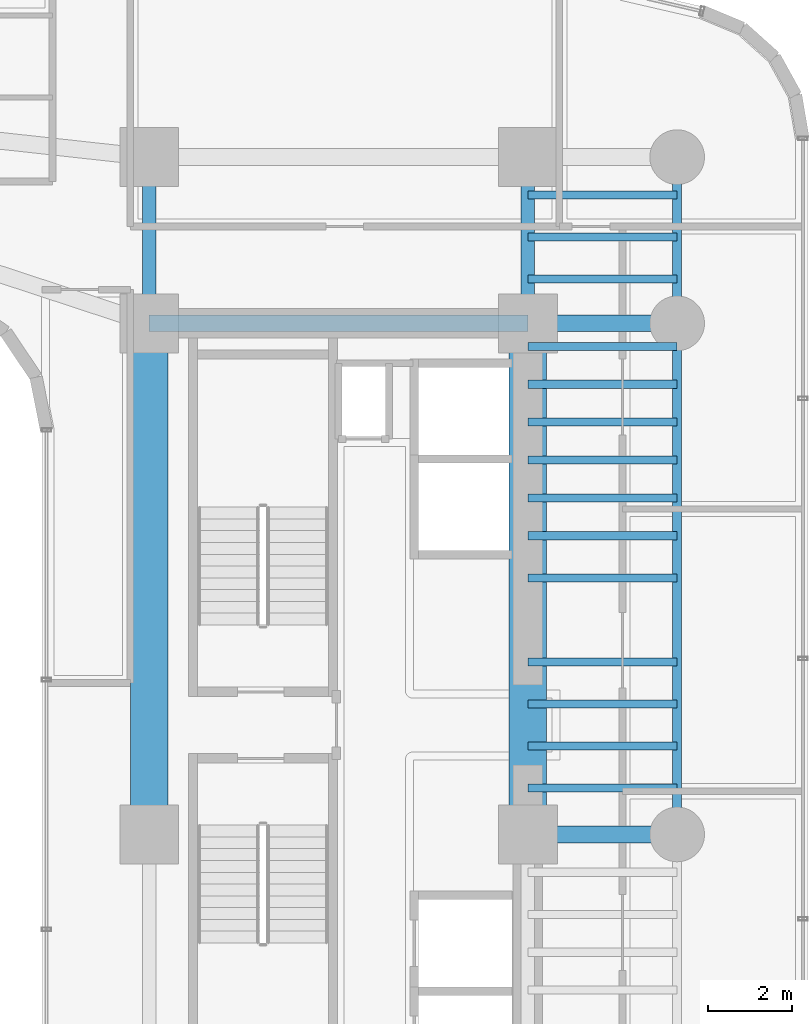
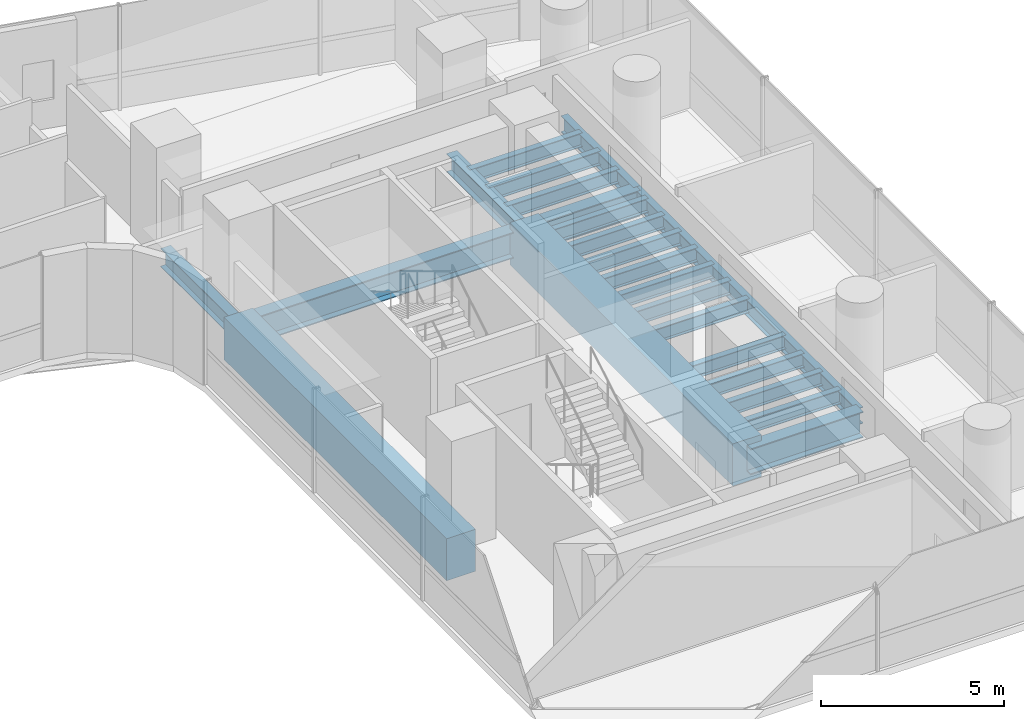
# One storey, part 18 of 41: 23 beams.
"""IFC4 building model written with IfcOpenShell, lengths in metres."""

from ifc_helpers import new_model, si_unit, direction, frame, origin, origin_2d, place, context, subcontext, project, spatial, rectangle, i_section, extrude, source, transform, mapped, material, material_profile, profile_set, type_object, element, save


model = new_model("IFC4")

# Units and contexts
model_context = context("Model", 3, precision=1e-05, world=origin(), true_north=direction((0.0, 1.0)))
body_context = subcontext(model_context, "Body", "Model", "MODEL_VIEW")
ifc_project = project(units=[si_unit("LENGTHUNIT", "METRE"), si_unit("AREAUNIT", "SQUARE_METRE"), si_unit("VOLUMEUNIT", "CUBIC_METRE"), si_unit("PLANEANGLEUNIT", "RADIAN"), si_unit("MASSUNIT", "GRAM", prefix="KILO")], contexts=[model_context])

# Site, building, storey
site_placement = place(None, origin())
site = spatial("IfcSite", under=ifc_project, at=site_placement, CompositionType="ELEMENT")
building_placement = place(site_placement, origin())
building = spatial("IfcBuilding", under=site, at=building_placement, Name="Valdorenza Pilgrim Sanctuary Tower", CompositionType="ELEMENT")
storey_placement = place(building_placement, frame((0.0, 0.0, 85.199951171875)))
storey = spatial("IfcBuildingStorey", under=building, at=storey_placement, Name="L21", CompositionType="ELEMENT", Elevation=85.199951171875)

# Beams
ifc_material_1 = material(Name="Concrete C60/75", Category="concrete")
ifc_material_profile_1 = material_profile(ifc_material_1, rectangle(XDim=0.89990234375, YDim=1.39990234375, at=origin_2d()), Name="RC 1400x900")
ifc_profile_set_1 = profile_set([ifc_material_profile_1], Name="Concrete C60/75")
beam_type_1 = type_object("IfcBeamType", Name="STR-BM-LNT-1400", PredefinedType="LINTEL", material=ifc_profile_set_1)
shared_shape_1 = source(origin(), body_context, "Body", "SweptSolid", [
    extrude(rectangle(XDim=0.89990234375, YDim=1.39990234375, at=origin_2d()), origin(), (0.0, 0.0, 1.0), 12.150146484375),
])
for number, where, z_axis, x_axis, name in (
    (1, (15.85009765625, -2.60009765625, -0.739990234375), (0.0, 1.0, 0.0), (-1.0, 0.0, 0.0), "L21 Core B West Coupling Lintel Girder"),
    (2, (24.85009765625, -2.60009765625, -0.739990234375), (0.0, 1.0, 0.0), (-1.0, 0.0, 0.0), "L21 Core B East Coupling Lintel Girder"),
):
    element("IfcBeam", number, at=place(storey_placement, frame(where, z_axis=z_axis, x_axis=x_axis)), inside=storey, type_object=beam_type_1, Name=name, PredefinedType="LINTEL", context=body_context, shape_type="MappedRepresentation", body=[
        mapped(shared_shape_1, transform((0.0, 0.0, 0.0), x_axis=(1.0, 0.0, 0.0), y_axis=(0.0, 1.0, 0.0), z_axis=(0.0, 0.0, 1.0), scale=1.0)),
    ])
ifc_material_2 = material(Name="Steel ASTM A992 Grade 50", Category="steel")
ifc_material_profile_2 = material_profile(ifc_material_2, i_section(OverallWidth=0.214111328125, OverallDepth=0.549072265625, WebThickness=0.0146484375, FlangeThickness=0.023681640625, at=origin_2d()), Name="W21X93")
ifc_profile_set_2 = profile_set([ifc_material_profile_2], Name="Steel ASTM A992 Grade 50")
beam_type_2 = type_object("IfcBeamType", Name="STR-BM-SPN-W21A", PredefinedType="SPANDREL", material=ifc_profile_set_2)
shared_shape_2 = source(origin(), body_context, "Body", "SweptSolid", [
    extrude(i_section(OverallWidth=0.214111328125, OverallDepth=0.549072265625, WebThickness=0.0146484375, FlangeThickness=0.023681640625, at=origin_2d()), origin(), (0.0, 0.0, 1.0), 12.150146484375),
])
beam_1_placement = place(storey_placement, frame((28.39990234375, -2.60009765625, -0.514404296875), z_axis=(0.0, 1.0, 0.0), x_axis=(-1.0, 0.0, 0.0)))
element("IfcBeam", 3, at=beam_1_placement, inside=storey, type_object=beam_type_2, Name="L21 Spandrel Beam WB-E-M0N1", PredefinedType="SPANDREL", context=body_context, shape_type="MappedRepresentation", body=[
    mapped(shared_shape_2, transform((0.0, 0.0, 0.0), x_axis=(1.0, 0.0, 0.0), y_axis=(0.0, 1.0, 0.0), z_axis=(0.0, 0.0, 1.0), scale=1.0)),
])
ifc_material_profile_3 = material_profile(ifc_material_2, i_section(OverallWidth=0.323974609375, OverallDepth=0.611083984375, WebThickness=0.0126953125, FlangeThickness=0.01904296875, at=origin_2d()), Name="W24X104")
ifc_profile_set_3 = profile_set([ifc_material_profile_3], Name="Steel ASTM A992 Grade 50")
beam_type_3 = type_object("IfcBeamType", Name="STR-BM-GRD-W24B", PredefinedType="BEAM", material=ifc_profile_set_3)
shared_shape_3 = source(origin(), body_context, "Body", "SweptSolid", [
    extrude(i_section(OverallWidth=0.323974609375, OverallDepth=0.611083984375, WebThickness=0.0126953125, FlangeThickness=0.01904296875, at=origin_2d()), origin(), (0.0, 0.0, 1.0), 3.949951171875),
])
for number, where, z_axis, x_axis, name in (
    (4, (15.85009765625, 9.550048828125, -0.54541015625), (0.0, 1.0, 0.0), (-1.0, 0.0, 0.0), "L21 Core Tie Girder CB-W-N1N2"),
    (5, (24.85009765625, 9.550048828125, -0.54541015625), (0.0, 1.0, 0.0), (-1.0, 0.0, 0.0), "L21 Core Tie Girder CB-E-N1N2"),
):
    element("IfcBeam", number, at=place(storey_placement, frame(where, z_axis=z_axis, x_axis=x_axis)), inside=storey, type_object=beam_type_3, Name=name, PredefinedType="BEAM", context=body_context, shape_type="MappedRepresentation", body=[
        mapped(shared_shape_3, transform((0.0, 0.0, 0.0), x_axis=(1.0, 0.0, 0.0), y_axis=(0.0, 1.0, 0.0), z_axis=(0.0, 0.0, 1.0), scale=1.0)),
    ])
shared_shape_4 = source(origin(), body_context, "Body", "SweptSolid", [
    extrude(i_section(OverallWidth=0.214111328125, OverallDepth=0.549072265625, WebThickness=0.0146484375, FlangeThickness=0.023681640625, at=origin_2d()), origin(), (0.0, 0.0, 1.0), 3.949951171875),
])
beam_2_placement = place(storey_placement, frame((28.39990234375, 9.550048828125, -0.514404296875), z_axis=(0.0, 1.0, 0.0), x_axis=(-1.0, 0.0, 0.0)))
element("IfcBeam", 6, at=beam_2_placement, inside=storey, type_object=beam_type_2, Name="L21 Spandrel Beam WB-E-N1N2", PredefinedType="SPANDREL", context=body_context, shape_type="MappedRepresentation", body=[
    mapped(shared_shape_4, transform((0.0, 0.0, 0.0), x_axis=(1.0, 0.0, 0.0), y_axis=(0.0, 1.0, 0.0), z_axis=(0.0, 0.0, 1.0), scale=1.0)),
])
ifc_material_profile_4 = material_profile(ifc_material_2, i_section(OverallWidth=0.193115234375, OverallDepth=0.466064453125, WebThickness=0.011474609375, FlangeThickness=0.01904296875, at=origin_2d()), Name="W18X65")
ifc_profile_set_4 = profile_set([ifc_material_profile_4], Name="Steel ASTM A992 Grade 50")
beam_type_4 = type_object("IfcBeamType", Name="STR-BM-JST-W18A", PredefinedType="JOIST", material=ifc_profile_set_4)
shared_shape_5 = source(origin(), body_context, "Body", "SweptSolid", [
    extrude(i_section(OverallWidth=0.193115234375, OverallDepth=0.466064453125, WebThickness=0.011474609375, FlangeThickness=0.01904296875, at=origin_2d()), origin(), (0.0, 0.0, 1.0), 3.5498046875),
])
for number, where, z_axis, x_axis, name in (
    (7, (24.85009765625, -1.5, -0.472900390625), (1.0, 0.0, 0.0), (0.0, 1.0, 0.0), "L21 Composite Floor Joist JST-WB-8"),
    (8, (24.85009765625, -0.5, -0.472900390625), (1.0, 0.0, 0.0), (0.0, 1.0, 0.0), "L21 Composite Floor Joist JST-WB-9"),
    (9, (24.85009765625, 0.5, -0.472900390625), (1.0, 0.0, 0.0), (0.0, 1.0, 0.0), "L21 Composite Floor Joist JST-WB-10"),
    (10, (24.85009765625, 1.5, -0.472900390625), (1.0, 0.0, 0.0), (0.0, 1.0, 0.0), "L21 Composite Floor Joist JST-WB-11"),
    (11, (24.85009765625, 3.5, -0.472900390625), (1.0, 0.0, 0.0), (0.0, 1.0, 0.0), "L21 Composite Floor Joist JST-WB-12"),
    (12, (24.85009765625, 4.5, -0.472900390625), (1.0, 0.0, 0.0), (0.0, 1.0, 0.0), "L21 Composite Floor Joist JST-WB-13"),
    (13, (24.85009765625, 5.39990234375, -0.472900390625), (1.0, 0.0, 0.0), (0.0, 1.0, 0.0), "L21 Composite Floor Joist JST-WB-14"),
    (14, (24.85009765625, 6.300048828125, -0.472900390625), (1.0, 0.0, 0.0), (0.0, 1.0, 0.0), "L21 Composite Floor Joist JST-WB-15"),
    (15, (24.85009765625, 7.199951171875, -0.472900390625), (1.0, 0.0, 0.0), (0.0, 1.0, 0.0), "L21 Composite Floor Joist JST-WB-16"),
    (16, (24.85009765625, 8.10009765625, -0.472900390625), (1.0, 0.0, 0.0), (0.0, 1.0, 0.0), "L21 Composite Floor Joist JST-WB-17"),
    (17, (24.85009765625, 9.0, -0.472900390625), (1.0, 0.0, 0.0), (0.0, 1.0, 0.0), "L21 Composite Floor Joist JST-WB-18"),
    (18, (24.85009765625, 10.60009765625, -0.472900390625), (1.0, 0.0, 0.0), (0.0, 1.0, 0.0), "L21 Composite Floor Joist JST-WB-19"),
    (19, (24.85009765625, 11.60009765625, -0.472900390625), (1.0, 0.0, 0.0), (0.0, 1.0, 0.0), "L21 Composite Floor Joist JST-WB-20"),
    (20, (24.85009765625, 12.60009765625, -0.472900390625), (1.0, 0.0, 0.0), (0.0, 1.0, 0.0), "L21 Composite Floor Joist JST-WB-21"),
):
    element("IfcBeam", number, at=place(storey_placement, frame(where, z_axis=z_axis, x_axis=x_axis)), inside=storey, type_object=beam_type_4, Name=name, PredefinedType="JOIST", context=body_context, shape_type="MappedRepresentation", body=[
        mapped(shared_shape_5, transform((0.0, 0.0, 0.0), x_axis=(1.0, 0.0, 0.0), y_axis=(0.0, 1.0, 0.0), z_axis=(0.0, 0.0, 1.0), scale=1.0)),
    ])
ifc_material_profile_5 = material_profile(ifc_material_2, i_section(OverallWidth=0.39990234375, OverallDepth=0.862060546875, WebThickness=0.019775390625, FlangeThickness=0.032470703125, at=origin_2d()), Name="W33X221")
ifc_profile_set_5 = profile_set([ifc_material_profile_5], Name="Steel ASTM A992 Grade 50")
beam_type_5 = type_object("IfcBeamType", Name="STR-BM-GRD-W33", PredefinedType="BEAM", material=ifc_profile_set_5)
shared_shape_6 = source(origin(), body_context, "Body", "SweptSolid", [
    extrude(i_section(OverallWidth=0.39990234375, OverallDepth=0.862060546875, WebThickness=0.019775390625, FlangeThickness=0.032470703125, at=origin_2d()), origin(), (0.0, 0.0, 1.0), 9.0),
])
beam_3_placement = place(storey_placement, frame((15.85009765625, 9.550048828125, -0.6708984375), z_axis=(1.0, 0.0, 0.0), x_axis=(0.0, 1.0, 0.0)))
element("IfcBeam", 21, at=beam_3_placement, inside=storey, type_object=beam_type_5, Name="L21 Floor Girder CB-XC-N1", PredefinedType="BEAM", context=body_context, shape_type="MappedRepresentation", body=[
    mapped(shared_shape_6, transform((0.0, 0.0, 0.0), x_axis=(1.0, 0.0, 0.0), y_axis=(0.0, 1.0, 0.0), z_axis=(0.0, 0.0, 1.0), scale=1.0)),
])
shared_shape_7 = source(origin(), body_context, "Body", "SweptSolid", [
    extrude(i_section(OverallWidth=0.39990234375, OverallDepth=0.862060546875, WebThickness=0.019775390625, FlangeThickness=0.032470703125, at=origin_2d()), origin(), (0.0, 0.0, 1.0), 3.5498046875),
])
for number, where, z_axis, x_axis, name in (
    (22, (24.85009765625, -2.60009765625, -0.6708984375), (1.0, 0.0, 0.0), (0.0, 1.0, 0.0), "L21 Floor Girder WB-XE-M0"),
    (23, (24.85009765625, 9.550048828125, -0.6708984375), (1.0, 0.0, 0.0), (0.0, 1.0, 0.0), "L21 Floor Girder WB-XE-N1"),
):
    element("IfcBeam", number, at=place(storey_placement, frame(where, z_axis=z_axis, x_axis=x_axis)), inside=storey, type_object=beam_type_5, Name=name, PredefinedType="BEAM", context=body_context, shape_type="MappedRepresentation", body=[
        mapped(shared_shape_7, transform((0.0, 0.0, 0.0), x_axis=(1.0, 0.0, 0.0), y_axis=(0.0, 1.0, 0.0), z_axis=(0.0, 0.0, 1.0), scale=1.0)),
    ])

save(model, "model.ifc")
